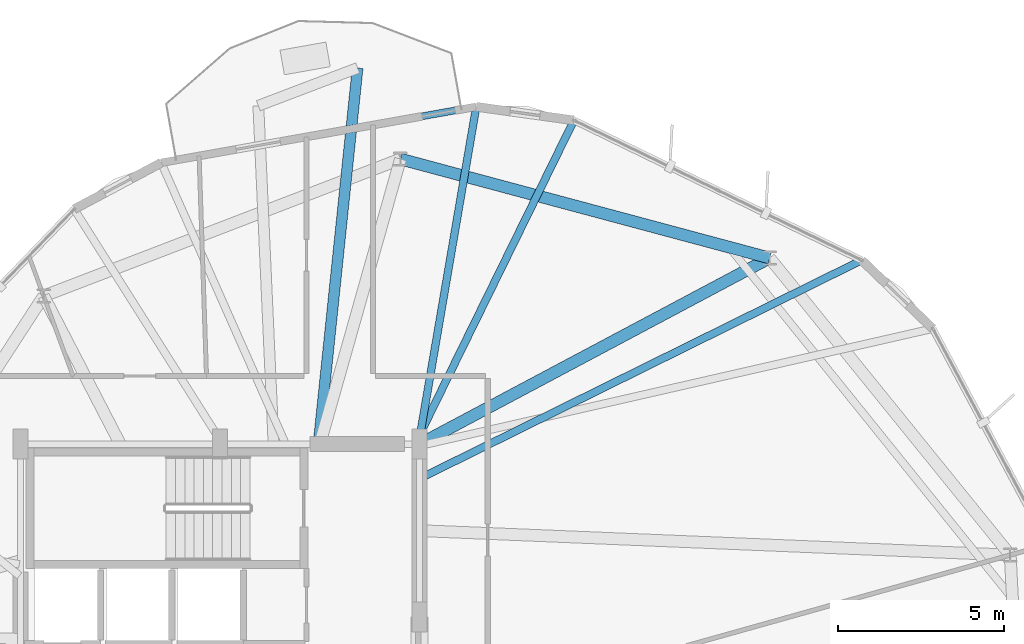
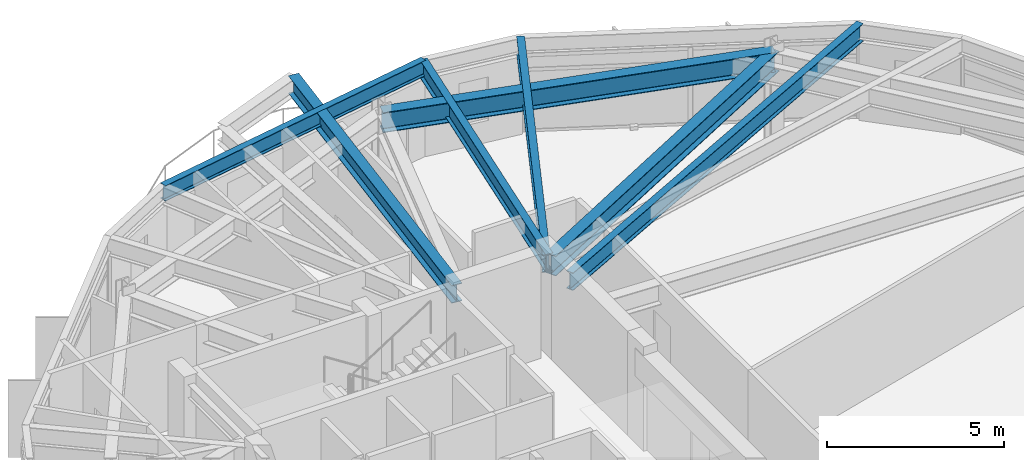
# One storey, part 18 of 28: 7 beams.
"""IFC4 building model written with IfcOpenShell, lengths in metres."""

from ifc_helpers import new_model, si_unit, direction, frame, origin, origin_2d, place, context, subcontext, project, spatial, i_section, extrude, material, material_profile, profile_set, type_object, element, save


model = new_model("IFC4")

# Units and contexts
model_context = context("Model", 3, precision=1e-05, world=origin(), true_north=direction((0.0, 1.0)))
body_context = subcontext(model_context, "Body", "Model", "MODEL_VIEW")
ifc_project = project(units=[si_unit("LENGTHUNIT", "METRE"), si_unit("AREAUNIT", "SQUARE_METRE"), si_unit("VOLUMEUNIT", "CUBIC_METRE"), si_unit("PLANEANGLEUNIT", "RADIAN"), si_unit("MASSUNIT", "GRAM", prefix="KILO")], contexts=[model_context])

# Site, building, storey
site_placement = place(None, origin())
site = spatial("IfcSite", under=ifc_project, at=site_placement, CompositionType="ELEMENT")
building_placement = place(site_placement, origin())
building = spatial("IfcBuilding", under=site, at=building_placement, Name="Soratama Intermodal Tower", CompositionType="ELEMENT")
storey_placement = place(building_placement, frame((0.0, 0.0, 205.0)))
storey = spatial("IfcBuildingStorey", under=building, at=storey_placement, Name="L51", CompositionType="ELEMENT", Elevation=205.0)

# Beams
ifc_material_1 = material(Name="Structural steel ASTM A992 Grade 50", Category="steel")
ifc_material_profile_1 = material_profile(ifc_material_1, i_section(OverallWidth=0.324951171875, OverallDepth=0.615966796875, WebThickness=0.013916015625, FlangeThickness=0.021484375, FilletRadius=0.013916015625, at=origin_2d()), Name="W24X117")
ifc_profile_set_1 = profile_set([ifc_material_profile_1], Name="Structural steel ASTM A992 Grade 50")
beam_type_1 = type_object("IfcBeamType", Name="BM-CANT-W24X117", PredefinedType="BEAM", material=ifc_profile_set_1)
beam_1_placement = place(storey_placement, frame((41.56494140625, 35.0400390625, 2.991943359375), z_axis=(0.103495105287, 0.994629962942, 0.0), x_axis=(-0.994629962942, 0.103495105287, 0.0)))
element("IfcBeam", 1, at=beam_1_placement, inside=storey, type_object=beam_type_1, Name="BM-L51-CANT-2-1", PredefinedType="BEAM", context=body_context, shape_type="SweptSolid", body=[
    extrude(i_section(OverallWidth=0.324951171875, OverallDepth=0.615966796875, WebThickness=0.013916015625, FlangeThickness=0.021484375, FilletRadius=0.013916015625, at=origin_2d()), origin(), (0.0, 0.0, 1.0), 11.334716796875),
])
ifc_material_2 = material(Name="Structural steel ASTM A992 Grade 50", Category="steel")
ifc_material_profile_2 = material_profile(ifc_material_2, i_section(OverallWidth=0.35498046875, OverallDepth=0.695068359375, WebThickness=0.015380859375, FlangeThickness=0.02490234375, FilletRadius=0.01611328125, at=origin_2d()), Name="W27X146")
ifc_profile_set_2 = profile_set([ifc_material_profile_2], Name="Structural steel ASTM A992 Grade 50")
beam_type_2 = type_object("IfcBeamType", Name="BM-RING-W27X146", PredefinedType="BEAM", material=ifc_profile_set_2)
beam_2_placement = place(storey_placement, frame((55.1298828125, 40.59912109375, 2.952392578125), z_axis=(-0.965907374298, 0.258887899055, 0.0), x_axis=(-0.258887899055, -0.965907374298, 0.0)))
element("IfcBeam", 2, at=beam_2_placement, inside=storey, type_object=beam_type_2, Name="BM-L51-RING-02", PredefinedType="BEAM", context=body_context, shape_type="SweptSolid", body=[
    extrude(i_section(OverallWidth=0.35498046875, OverallDepth=0.695068359375, WebThickness=0.015380859375, FlangeThickness=0.02490234375, FilletRadius=0.01611328125, at=origin_2d()), origin(), (0.0, 0.0, 1.0), 11.49462890625),
])
beam_3_placement = place(storey_placement, frame((44.60009765625, 35.0, 2.952392578125), z_axis=(0.882935948236, 0.469493462482, 0.0), x_axis=(-0.469493462482, 0.882935948236, 0.0)))
element("IfcBeam", 3, at=beam_3_placement, inside=storey, type_object=beam_type_2, Name="BM-L51-RAD-02", PredefinedType="BEAM", context=body_context, shape_type="SweptSolid", body=[
    extrude(i_section(OverallWidth=0.35498046875, OverallDepth=0.695068359375, WebThickness=0.015380859375, FlangeThickness=0.02490234375, FilletRadius=0.01611328125, at=origin_2d()), origin(), (0.0, 0.0, 1.0), 11.92578125),
])
ifc_material_3 = material(Name="Structural steel ASTM A992 Grade 50", Category="steel")
ifc_material_profile_3 = material_profile(ifc_material_3, i_section(OverallWidth=0.2099609375, OverallDepth=0.537109375, WebThickness=0.010986328125, FlangeThickness=0.017333984375, FilletRadius=0.012939453125, at=origin_2d()), Name="W21X68")
ifc_profile_set_3 = profile_set([ifc_material_profile_3], Name="Structural steel ASTM A992 Grade 50")
beam_type_3 = type_object("IfcBeamType", Name="BM-SPN-W21X68", PredefinedType="SPANDREL", material=ifc_profile_set_3)
beam_4_placement = place(storey_placement, frame((46.305908203125, 45.14990234375, 3.031494140625), z_axis=(-0.984558524628, -0.175055738501, 0.0), x_axis=(0.175055738501, -0.984558524628, 0.0)))
element("IfcBeam", 4, at=beam_4_placement, inside=storey, type_object=beam_type_3, Name="BS-L51-F02", PredefinedType="SPANDREL", context=body_context, shape_type="SweptSolid", body=[
    extrude(i_section(OverallWidth=0.2099609375, OverallDepth=0.537109375, WebThickness=0.010986328125, FlangeThickness=0.017333984375, FilletRadius=0.012939453125, at=origin_2d()), origin(), (0.0, 0.0, 1.0), 9.62451171875),
])
ifc_material_4 = material(Name="Structural steel ASTM A992 Grade 50", Category="steel")
ifc_material_profile_4 = material_profile(ifc_material_4, i_section(OverallWidth=0.22900390625, OverallDepth=0.612060546875, WebThickness=0.011962890625, FlangeThickness=0.01953125, FilletRadius=0.012939453125, at=origin_2d()), Name="W24X84")
ifc_profile_set_4 = profile_set([ifc_material_profile_4], Name="Structural steel ASTM A992 Grade 50")
beam_type_4 = type_object("IfcBeamType", Name="BM-TIE-W24X84", PredefinedType="BEAM", material=ifc_profile_set_4)
beam_5_placement = place(storey_placement, frame((44.635986328125, 33.98095703125, 2.993896484375), z_axis=(0.896552389747, 0.442937707177, 0.0), x_axis=(-0.442937707177, 0.896552389747, 0.0)))
element("IfcBeam", 5, at=beam_5_placement, inside=storey, type_object=beam_type_4, Name="BM-L51-TIE0-01", PredefinedType="BEAM", context=body_context, shape_type="SweptSolid", body=[
    extrude(i_section(OverallWidth=0.22900390625, OverallDepth=0.612060546875, WebThickness=0.011962890625, FlangeThickness=0.01953125, FilletRadius=0.012939453125, at=origin_2d()), origin(), (0.0, 0.0, 1.0), 14.79443359375),
])
beam_6_placement = place(storey_placement, frame((44.48291015625, 35.035888671875, 2.993896484375), z_axis=(0.440425337125, 0.897789241648, 0.0), x_axis=(-0.897789241648, 0.440425337125, 0.0)))
element("IfcBeam", 6, at=beam_6_placement, inside=storey, type_object=beam_type_4, Name="BM-L51-TIE1-01", PredefinedType="BEAM", context=body_context, shape_type="SweptSolid", body=[
    extrude(i_section(OverallWidth=0.22900390625, OverallDepth=0.612060546875, WebThickness=0.011962890625, FlangeThickness=0.01953125, FilletRadius=0.012939453125, at=origin_2d()), origin(), (0.0, 0.0, 1.0), 10.81005859375),
])
beam_7_placement = place(storey_placement, frame((44.575927734375, 35.0390625, 2.993896484375), z_axis=(0.168650681218, 0.985675883709, 0.0), x_axis=(-0.985675883709, 0.168650681218, 0.0)))
element("IfcBeam", 7, at=beam_7_placement, inside=storey, type_object=beam_type_4, Name="BM-L51-TIE0-02", PredefinedType="BEAM", context=body_context, shape_type="SweptSolid", body=[
    extrude(i_section(OverallWidth=0.22900390625, OverallDepth=0.612060546875, WebThickness=0.011962890625, FlangeThickness=0.01953125, FilletRadius=0.012939453125, at=origin_2d()), origin(), (0.0, 0.0, 1.0), 10.2578125),
])

save(model, "model.ifc")
